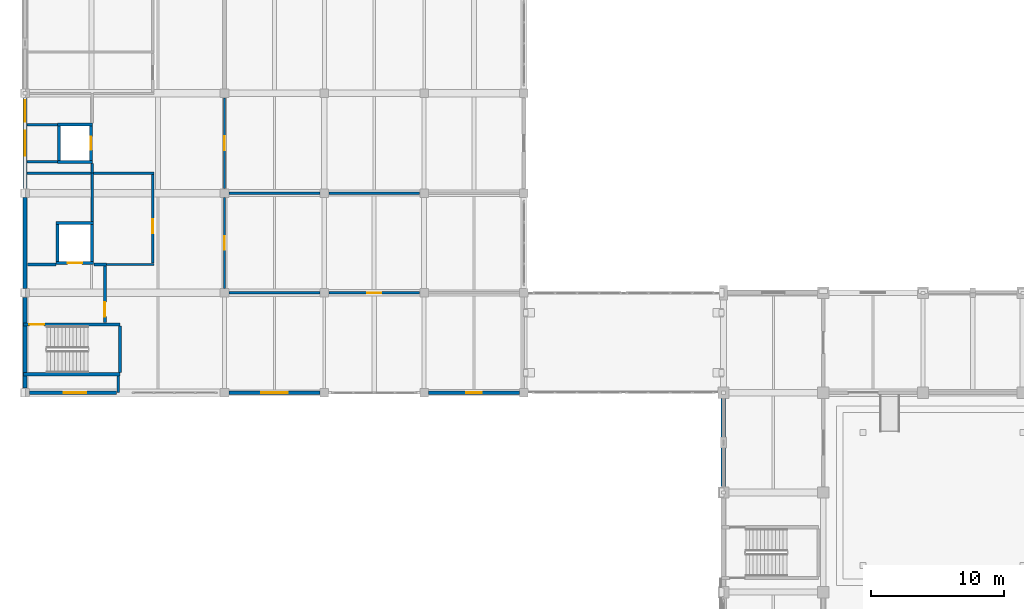
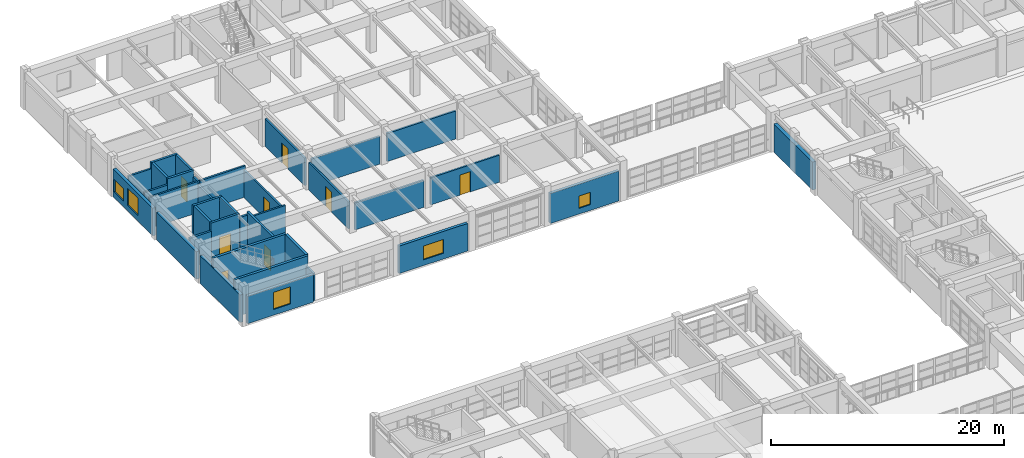
# One storey, part 103 of 132: 36 walls, 8 doors, 5 windows, 13 openings.
"""IFC4 building model written with IfcOpenShell, lengths in metres."""

from ifc_helpers import new_model, si_unit, direction, frame, frame_2d, origin, place, context, subcontext, project, spatial, rectangle, extrude, material, layer, layer_set, type_object, element, fill, save


model = new_model("IFC4")

# Units and contexts
model_context = context("Model", 3, precision=1e-05, world=origin(), true_north=direction((0.0, 1.0)))
body_context = subcontext(model_context, "Body", "Model", "MODEL_VIEW")
ifc_project = project(units=[si_unit("LENGTHUNIT", "METRE"), si_unit("AREAUNIT", "SQUARE_METRE"), si_unit("VOLUMEUNIT", "CUBIC_METRE"), si_unit("PLANEANGLEUNIT", "RADIAN"), si_unit("MASSUNIT", "GRAM", prefix="KILO")], contexts=[model_context])

# Site, building, storey
site_placement = place(None, origin())
site = spatial("IfcSite", under=ifc_project, at=site_placement, CompositionType="ELEMENT")
building_placement = place(site_placement, origin())
building = spatial("IfcBuilding", under=site, at=building_placement, Name="Qasida Concert Hall", CompositionType="ELEMENT")
storey_placement = place(building_placement, frame((0.0, 0.0, 4.800048828125)))
storey = spatial("IfcBuildingStorey", under=building, at=storey_placement, Name="L01", CompositionType="ELEMENT", Elevation=4.800048828125)

# Walls
ifc_material_1 = material(Name="Concrete C40/50", Category="concrete")
ifc_layer_1 = layer(ifc_material_1, 0.219970703125, Name="Concrete C40/50")
ifc_layer_set_1 = layer_set([ifc_layer_1], Name="Concrete C40/50")
wall_type_1 = type_object("IfcWallType", Name="WL-CW-220", PredefinedType="SOLIDWALL", material=ifc_layer_set_1)
for number, where, z_axis, x_axis, name in (
    (1, (2.43994140625, 92.35009765625, 0.0), (0.0, 0.0, 1.0), (1.0, 0.0, 0.0), "L01 LF-07 lift shaft wall S"),
    (2, (2.43994140625, 95.14990234375, 0.0), (0.0, 0.0, 1.0), (1.0, 0.0, 0.0), "L01 LF-07 lift shaft wall N"),
):
    element("IfcWall", number, at=place(storey_placement, frame(where, z_axis=z_axis, x_axis=x_axis)), inside=storey, type_object=wall_type_1, Name=name, PredefinedType="SOLIDWALL", context=body_context, shape_type="SweptSolid", body=[
        extrude(rectangle(XDim=2.6201171875, YDim=0.219970703125, at=frame_2d((1.31005859375, 0.0))), origin(), (0.0, 0.0, 1.0), 3.919921875),
    ])
wall_1_placement = place(storey_placement, frame((2.550048828125, 92.4599609375, 0.0), z_axis=(0.0, 0.0, 1.0), x_axis=(0.0, 1.0, 0.0)))
element("IfcWall", 3, at=wall_1_placement, inside=storey, type_object=wall_type_1, Name="L01 LF-07 lift shaft wall W", PredefinedType="SOLIDWALL", context=body_context, shape_type="SweptSolid", body=[
    extrude(rectangle(XDim=2.580078125, YDim=0.219970703125, at=frame_2d((1.2900390625, 0.0))), origin(), (0.0, 0.0, 1.0), 3.919921875),
])

# Wall, opening, door
wall_2_placement = place(storey_placement, frame((4.949951171875, 92.4599609375, 0.0), z_axis=(0.0, 0.0, 1.0), x_axis=(0.0, 1.0, 0.0)))
wall_2 = element("IfcWall", 4, at=wall_2_placement, inside=storey, type_object=wall_type_1, Name="L01 LF-07 lift shaft wall E", PredefinedType="SOLIDWALL", context=body_context, shape_type="SweptSolid", body=[
    extrude(rectangle(XDim=2.580078125, YDim=0.219970703125, at=frame_2d((1.2900390625, 0.0))), origin(), (0.0, 0.0, 1.0), 3.919921875),
])
opening_1_placement = place(wall_2_placement, frame((0.7900390625, 0.0, 0.0)))
opening_1 = element("IfcOpeningElement", 5, at=opening_1_placement, cuts=wall_2, Name="Opening LD-100", PredefinedType="OPENING", context=body_context, shape_type="SweptSolid", body=[
    extrude(rectangle(XDim=1.0, YDim=2.14990234375, at=frame_2d((0.5, 1.074951171875))), frame((0.0, 0.119873046875, 0.0), z_axis=(0.0, -1.0, 0.0), x_axis=(1.0, 0.0, 0.0)), (0.0, 0.0, 1.0), 0.239990234375),
])
ifc_material_2 = material(Name="Brushed bronze passenger lift landing door", Category="steel")
door_type_1 = type_object("IfcDoorType", Name="LD-100", OperationType="SLIDING_TO_LEFT", PredefinedType="DOOR", material=ifc_material_2)
door_1_placement = place(opening_1_placement, origin())
door_1 = element("IfcDoor", 6, at=door_1_placement, inside=storey, type_object=door_type_1, Name="Lift landing door LF-07 L01", OperationType="SLIDING_TO_LEFT", OverallHeight=2.14990234375, OverallWidth=1.0, PredefinedType="DOOR", context=body_context, shape_type="SweptSolid", body=[
    extrude(rectangle(XDim=1.0, YDim=2.14990234375, at=frame_2d((0.5, 1.074951171875))), frame((0.0, 0.02490234375, 0.0), z_axis=(0.0, -1.0, 0.0), x_axis=(1.0, 0.0, 0.0)), (0.0, 0.0, 1.0), 0.050048828125),
])
fill(opening_1, door_1)

wall_3_placement = place(storey_placement, frame((2.340087890625, 84.75, 0.0), z_axis=(0.0, 0.0, 1.0), x_axis=(1.0, 0.0, 0.0)))
wall_3 = element("IfcWall", 7, at=wall_3_placement, inside=storey, type_object=wall_type_1, Name="L01 LF-08 lift shaft wall S", PredefinedType="SOLIDWALL", context=body_context, shape_type="SweptSolid", body=[
    extrude(rectangle(XDim=2.81982421875, YDim=0.219970703125, at=frame_2d((1.409912109375, 0.0))), origin(), (0.0, 0.0, 1.0), 3.919921875),
])
opening_2_placement = place(wall_3_placement, frame((0.860107421875, 0.0, 0.0)))
opening_2 = element("IfcOpeningElement", 8, at=opening_2_placement, cuts=wall_3, Name="Opening LD-110", PredefinedType="OPENING", context=body_context, shape_type="SweptSolid", body=[
    extrude(rectangle(XDim=1.10009765625, YDim=2.14990234375, at=frame_2d((0.550048828125, 1.074951171875))), frame((0.0, 0.119873046875, 0.0), z_axis=(0.0, -1.0, 0.0), x_axis=(1.0, 0.0, 0.0)), (0.0, 0.0, 1.0), 0.239990234375),
])
ifc_material_3 = material(Name="Firefighting lift sliding landing door", Category="steel")
door_type_2 = type_object("IfcDoorType", Name="LD-110", OperationType="SLIDING_TO_LEFT", PredefinedType="DOOR", material=ifc_material_3)
door_2_placement = place(opening_2_placement, origin())
door_2 = element("IfcDoor", 9, at=door_2_placement, inside=storey, type_object=door_type_2, Name="Lift landing door LF-08 L01", OperationType="SLIDING_TO_LEFT", OverallHeight=2.14990234375, OverallWidth=1.10009765625, PredefinedType="DOOR", context=body_context, shape_type="SweptSolid", body=[
    extrude(rectangle(XDim=1.10009765625, YDim=2.14990234375, at=frame_2d((0.550048828125, 1.074951171875))), frame((0.0, 0.02490234375, 0.0), z_axis=(0.0, -1.0, 0.0), x_axis=(1.0, 0.0, 0.0)), (0.0, 0.0, 1.0), 0.050048828125),
])
fill(opening_2, door_2)

# Walls
wall_4_placement = place(storey_placement, frame((2.340087890625, 87.75, 0.0), z_axis=(0.0, 0.0, 1.0), x_axis=(1.0, 0.0, 0.0)))
element("IfcWall", 10, at=wall_4_placement, inside=storey, type_object=wall_type_1, Name="L01 LF-08 lift shaft wall N", PredefinedType="SOLIDWALL", context=body_context, shape_type="SweptSolid", body=[
    extrude(rectangle(XDim=2.81982421875, YDim=0.219970703125, at=frame_2d((1.409912109375, 0.0))), origin(), (0.0, 0.0, 1.0), 3.919921875),
])
for number, where, z_axis, x_axis, name in (
    (11, (2.449951171875, 84.860107421875, 0.0), (0.0, 0.0, 1.0), (0.0, 1.0, 0.0), "L01 LF-08 lift shaft wall W"),
    (12, (5.050048828125, 84.860107421875, 0.0), (0.0, 0.0, 1.0), (0.0, 1.0, 0.0), "L01 LF-08 lift shaft wall E"),
):
    element("IfcWall", number, at=place(storey_placement, frame(where, z_axis=z_axis, x_axis=x_axis)), inside=storey, type_object=wall_type_1, Name=name, PredefinedType="SOLIDWALL", context=body_context, shape_type="SweptSolid", body=[
        extrude(rectangle(XDim=2.77978515625, YDim=0.219970703125, at=frame_2d((1.389892578125, 0.0))), origin(), (0.0, 0.0, 1.0), 3.919921875),
    ])

# Wall, opening, door
wall_5_placement = place(storey_placement, frame((6.0, 80.260009765625, 0.0), z_axis=(0.0, 0.0, 1.0), x_axis=(0.0, 1.0, 0.0)))
wall_5 = element("IfcWall", 13, at=wall_5_placement, inside=storey, type_object=wall_type_1, Name="L01 LF-08 firefighting lobby wall", PredefinedType="SOLIDWALL", context=body_context, shape_type="SweptSolid", body=[
    extrude(rectangle(XDim=4.369873046875, YDim=0.219970703125, at=frame_2d((2.18505859375, 0.0))), origin(), (0.0, 0.0, 1.0), 3.919921875),
])
opening_3_placement = place(wall_5_placement, frame((0.449951171875, 0.0, 0.0)))
opening_3 = element("IfcOpeningElement", 14, at=opening_3_placement, cuts=wall_5, Name="Opening FD-110", PredefinedType="OPENING", context=body_context, shape_type="SweptSolid", body=[
    extrude(rectangle(XDim=1.10009765625, YDim=2.14990234375, at=frame_2d((0.550048828125, 1.074951171875))), frame((0.0, 0.119873046875, 0.0), z_axis=(0.0, -1.0, 0.0), x_axis=(1.0, 0.0, 0.0)), (0.0, 0.0, 1.0), 0.239990234375),
])
ifc_material_4 = material(Name="Steel fire-rated stair/lobby door set", Category="steel")
door_type_3 = type_object("IfcDoorType", Name="FD-110", OperationType="NOTDEFINED", PredefinedType="DOOR", material=ifc_material_4)
door_3_placement = place(opening_3_placement, origin())
door_3 = element("IfcDoor", 15, at=door_3_placement, inside=storey, type_object=door_type_3, Name="L01 LF-08 firefighting lobby fire door", OperationType="SINGLE_SWING_RIGHT", OverallHeight=2.14990234375, OverallWidth=1.10009765625, PredefinedType="DOOR", context=body_context, shape_type="SweptSolid", body=[
    extrude(rectangle(XDim=1.10009765625, YDim=2.14990234375, at=frame_2d((0.550048828125, 1.074951171875))), frame((0.0, 0.02490234375, 0.0), z_axis=(0.0, -1.0, 0.0), x_axis=(1.0, 0.0, 0.0)), (0.0, 0.0, 1.0), 0.050048828125),
])
fill(opening_3, door_3)

# Wall
ifc_layer_2 = layer(ifc_material_1, 0.25, Name="Concrete C40/50")
ifc_layer_set_2 = layer_set([ifc_layer_2], Name="Concrete C40/50")
wall_type_2 = type_object("IfcWallType", Name="WL-CW-250", PredefinedType="SOLIDWALL", material=ifc_layer_set_2)
wall_6_placement = place(storey_placement, frame((-0.1201171875, 76.375, 0.0), z_axis=(0.0, 0.0, 1.0), x_axis=(1.0, 0.0, 0.0)))
element("IfcWall", 16, at=wall_6_placement, inside=storey, type_object=wall_type_2, Name="L01 ST-05 stairwell wall S", PredefinedType="SOLIDWALL", context=body_context, shape_type="SweptSolid", body=[
    extrude(rectangle(XDim=7.260009765625, YDim=0.25, at=frame_2d((3.6298828125, 0.0))), origin(), (0.0, 0.0, 1.0), 3.919921875),
])

# Wall, opening, door
wall_7_placement = place(storey_placement, frame((-0.1201171875, 80.125, 0.0), z_axis=(0.0, 0.0, 1.0), x_axis=(1.0, 0.0, 0.0)))
wall_7 = element("IfcWall", 17, at=wall_7_placement, inside=storey, type_object=wall_type_2, Name="L01 ST-05 stairwell wall N", PredefinedType="SOLIDWALL", context=body_context, shape_type="SweptSolid", body=[
    extrude(rectangle(XDim=7.260009765625, YDim=0.25, at=frame_2d((3.6298828125, 0.0))), origin(), (0.0, 0.0, 1.0), 3.919921875),
])
opening_4_placement = place(wall_7_placement, frame((0.449951171875, 0.0, 0.0)))
opening_4 = element("IfcOpeningElement", 18, at=opening_4_placement, cuts=wall_7, Name="Opening FD-110", PredefinedType="OPENING", context=body_context, shape_type="SweptSolid", body=[
    extrude(rectangle(XDim=1.10009765625, YDim=2.14990234375, at=frame_2d((0.550048828125, 1.074951171875))), frame((0.0, 0.135009765625, 0.0), z_axis=(0.0, -1.0, 0.0), x_axis=(1.0, 0.0, 0.0)), (0.0, 0.0, 1.0), 0.27001953125),
])
door_4_placement = place(opening_4_placement, origin())
door_4 = element("IfcDoor", 19, at=door_4_placement, inside=storey, type_object=door_type_3, Name="L01 ST-05 rated stair door", OperationType="SINGLE_SWING_LEFT", OverallHeight=2.14990234375, OverallWidth=1.10009765625, PredefinedType="DOOR", context=body_context, shape_type="SweptSolid", body=[
    extrude(rectangle(XDim=1.10009765625, YDim=2.14990234375, at=frame_2d((0.550048828125, 1.074951171875))), frame((0.0, 0.02490234375, 0.0), z_axis=(0.0, -1.0, 0.0), x_axis=(1.0, 0.0, 0.0)), (0.0, 0.0, 1.0), 0.050048828125),
])
fill(opening_4, door_4)

# Wall
wall_8_placement = place(storey_placement, frame((7.14501953125, 76.5, 0.0), z_axis=(0.0, 0.0, 1.0), x_axis=(0.0, 1.0, 0.0)))
element("IfcWall", 20, at=wall_8_placement, inside=storey, type_object=wall_type_2, Name="L01 ST-05 stairwell wall E", PredefinedType="SOLIDWALL", context=body_context, shape_type="SweptSolid", body=[
    extrude(rectangle(XDim=3.5, YDim=0.25, at=frame_2d((1.75, 0.0))), origin(), (0.0, 0.0, 1.0), 3.919921875),
])

# Wall, opening, window
ifc_material_5 = material(Name="Precast concrete C40/50", Category="concrete")
ifc_layer_3 = layer(ifc_material_5, 0.280029296875, Name="Precast concrete C40/50")
ifc_layer_set_3 = layer_set([ifc_layer_3], Name="Precast concrete C40/50")
wall_type_3 = type_object("IfcWallType", Name="WL-EW-280", PredefinedType="SOLIDWALL", material=ifc_layer_set_3)
wall_9_placement = place(storey_placement, frame((0.3349609375, 75.0, 0.0), z_axis=(0.0, 0.0, 1.0), x_axis=(1.0, 0.0, 0.0)))
wall_9 = element("IfcWall", 21, at=wall_9_placement, inside=storey, type_object=wall_type_3, Name="L01 exterior wall EW-280 0245", PredefinedType="SOLIDWALL", context=body_context, shape_type="SweptSolid", body=[
    extrude(rectangle(XDim=6.544921875, YDim=0.280029296875, at=frame_2d((3.2724609375, 0.0))), origin(), (0.0, 0.0, 1.0), 2.889892578125),
])
opening_5_placement = place(wall_9_placement, frame((2.56494140625, 0.0, 0.60009765625)))
opening_5 = element("IfcOpeningElement", 22, at=opening_5_placement, cuts=wall_9, Name="Opening WN-05", PredefinedType="OPENING", context=body_context, shape_type="SweptSolid", body=[
    extrude(rectangle(XDim=1.699951171875, YDim=1.800048828125, at=frame_2d((0.85009765625, 0.89990234375))), frame((0.0, 0.14990234375, 0.0), z_axis=(0.0, -1.0, 0.0), x_axis=(1.0, 0.0, 0.0)), (0.0, 0.0, 1.0), 0.300048828125),
])
ifc_material_6 = material(Name="Bronze-anodized aluminium frame with acoustic low-E glazing", Category="aluminium")
window_type_1 = type_object("IfcWindowType", Name="WN-05", PartitioningType="SINGLE_PANEL", PredefinedType="WINDOW", material=ifc_material_6)
window_1_placement = place(opening_5_placement, origin())
window_1 = element("IfcWindow", 23, at=window_1_placement, inside=storey, type_object=window_type_1, Name="L01 window WN-05 0123", OverallHeight=1.800048828125, OverallWidth=1.699951171875, PartitioningType="SINGLE_PANEL", PredefinedType="WINDOW", context=body_context, shape_type="SweptSolid", body=[
    extrude(rectangle(XDim=1.699951171875, YDim=1.800048828125, at=frame_2d((0.85009765625, 0.89990234375))), frame((0.0, 0.030029296875, 0.0), z_axis=(0.0, -1.0, 0.0), x_axis=(1.0, 0.0, 0.0)), (0.0, 0.0, 1.0), 0.06005859375),
])
fill(opening_5, window_1)

wall_10_placement = place(storey_placement, frame((15.3349609375, 75.0, 0.0), z_axis=(0.0, 0.0, 1.0), x_axis=(1.0, 0.0, 0.0)))
wall_10 = element("IfcWall", 24, at=wall_10_placement, inside=storey, type_object=wall_type_3, Name="L01 exterior wall EW-280 0248", PredefinedType="SOLIDWALL", context=body_context, shape_type="SweptSolid", body=[
    extrude(rectangle(XDim=6.830078125, YDim=0.280029296875, at=frame_2d((3.4150390625, 0.0))), origin(), (0.0, 0.0, 1.0), 2.889892578125),
])
opening_6_placement = place(wall_10_placement, frame((2.4150390625, 0.0, 0.60009765625)))
opening_6 = element("IfcOpeningElement", 25, at=opening_6_placement, cuts=wall_10, Name="Opening WN-07", PredefinedType="OPENING", context=body_context, shape_type="SweptSolid", body=[
    extrude(rectangle(XDim=2.0, YDim=1.449951171875, at=frame_2d((1.0, 0.72509765625))), frame((0.0, 0.14990234375, 0.0), z_axis=(0.0, -1.0, 0.0), x_axis=(1.0, 0.0, 0.0)), (0.0, 0.0, 1.0), 0.300048828125),
])
window_type_2 = type_object("IfcWindowType", Name="WN-07", PartitioningType="SINGLE_PANEL", PredefinedType="WINDOW", material=ifc_material_6)
window_2_placement = place(opening_6_placement, origin())
window_2 = element("IfcWindow", 26, at=window_2_placement, inside=storey, type_object=window_type_2, Name="L01 window WN-07 0125", OverallHeight=1.449951171875, OverallWidth=2.0, PartitioningType="SINGLE_PANEL", PredefinedType="WINDOW", context=body_context, shape_type="SweptSolid", body=[
    extrude(rectangle(XDim=2.0, YDim=1.449951171875, at=frame_2d((1.0, 0.72509765625))), frame((0.0, 0.030029296875, 0.0), z_axis=(0.0, -1.0, 0.0), x_axis=(1.0, 0.0, 0.0)), (0.0, 0.0, 1.0), 0.06005859375),
])
fill(opening_6, window_2)

wall_11_placement = place(storey_placement, frame((30.3349609375, 75.0, 0.0), z_axis=(0.0, 0.0, 1.0), x_axis=(1.0, 0.0, 0.0)))
wall_11 = element("IfcWall", 27, at=wall_11_placement, inside=storey, type_object=wall_type_3, Name="L01 exterior wall EW-280 0251", PredefinedType="SOLIDWALL", context=body_context, shape_type="SweptSolid", body=[
    extrude(rectangle(XDim=6.830078125, YDim=0.280029296875, at=frame_2d((3.4150390625, 0.0))), origin(), (0.0, 0.0, 1.0), 3.139892578125),
])
opening_7_placement = place(wall_11_placement, frame((2.840087890625, 0.0, 0.60009765625)))
opening_7 = element("IfcOpeningElement", 28, at=opening_7_placement, cuts=wall_11, Name="Opening WN-09", PredefinedType="OPENING", context=body_context, shape_type="SweptSolid", body=[
    extrude(rectangle(XDim=1.14990234375, YDim=1.300048828125, at=frame_2d((0.574951171875, 0.64990234375))), frame((0.0, 0.14990234375, 0.0), z_axis=(0.0, -1.0, 0.0), x_axis=(1.0, 0.0, 0.0)), (0.0, 0.0, 1.0), 0.300048828125),
])
window_type_3 = type_object("IfcWindowType", Name="WN-09", PartitioningType="SINGLE_PANEL", PredefinedType="WINDOW", material=ifc_material_6)
window_3_placement = place(opening_7_placement, origin())
window_3 = element("IfcWindow", 29, at=window_3_placement, inside=storey, type_object=window_type_3, Name="L01 window WN-09 0128", OverallHeight=1.300048828125, OverallWidth=1.14990234375, PartitioningType="SINGLE_PANEL", PredefinedType="WINDOW", context=body_context, shape_type="SweptSolid", body=[
    extrude(rectangle(XDim=1.14990234375, YDim=1.300048828125, at=frame_2d((0.574951171875, 0.64990234375))), frame((0.0, 0.030029296875, 0.0), z_axis=(0.0, -1.0, 0.0), x_axis=(1.0, 0.0, 0.0)), (0.0, 0.0, 1.0), 0.06005859375),
])
fill(opening_7, window_3)

# Wall, openings, windows
ifc_layer_4 = layer(ifc_material_5, 0.300048828125, Name="Precast concrete C40/50")
ifc_layer_set_4 = layer_set([ifc_layer_4], Name="Precast concrete C40/50")
wall_type_4 = type_object("IfcWallType", Name="WL-EW-300", PredefinedType="SOLIDWALL", material=ifc_layer_set_4)
wall_12_placement = place(storey_placement, frame((0.0, 90.3349609375, 0.0), z_axis=(0.0, 0.0, 1.0), x_axis=(0.0, 1.0, 0.0)))
wall_12 = element("IfcWall", 30, at=wall_12_placement, inside=storey, type_object=wall_type_4, Name="L01 exterior wall EW-300 0254", PredefinedType="SOLIDWALL", context=body_context, shape_type="SweptSolid", body=[
    extrude(rectangle(XDim=6.830078125, YDim=0.300048828125, at=frame_2d((3.4150390625, 0.0))), origin(), (0.0, 0.0, 1.0), 2.889892578125),
])
opening_8_placement = place(wall_12_placement, frame((2.489990234375, 0.0, 0.60009765625)))
opening_8 = element("IfcOpeningElement", 31, at=opening_8_placement, cuts=wall_12, Name="Opening WN-06", PredefinedType="OPENING", context=body_context, shape_type="SweptSolid", body=[
    extrude(rectangle(XDim=1.85009765625, YDim=1.800048828125, at=frame_2d((0.925048828125, 0.89990234375))), frame((0.0, 0.159912109375, 0.0), z_axis=(0.0, -1.0, 0.0), x_axis=(1.0, 0.0, 0.0)), (0.0, 0.0, 1.0), 0.320068359375),
])
opening_9_placement = place(wall_12_placement, frame((5.03759765625, 0.0, 0.60009765625)))
opening_9 = element("IfcOpeningElement", 32, at=opening_9_placement, cuts=wall_12, Name="Opening WN-12", PredefinedType="OPENING", context=body_context, shape_type="SweptSolid", body=[
    extrude(rectangle(XDim=1.60009765625, YDim=1.300048828125, at=frame_2d((0.800048828125, 0.64990234375))), frame((0.0, 0.159912109375, 0.0), z_axis=(0.0, -1.0, 0.0), x_axis=(1.0, 0.0, 0.0)), (0.0, 0.0, 1.0), 0.320068359375),
])
window_type_4 = type_object("IfcWindowType", Name="WN-06", PartitioningType="SINGLE_PANEL", PredefinedType="WINDOW", material=ifc_material_6)
window_4_placement = place(opening_8_placement, origin())
window_4 = element("IfcWindow", 33, at=window_4_placement, inside=storey, type_object=window_type_4, Name="L01 window WN-06 0129", OverallHeight=1.800048828125, OverallWidth=1.85009765625, PartitioningType="SINGLE_PANEL", PredefinedType="WINDOW", context=body_context, shape_type="SweptSolid", body=[
    extrude(rectangle(XDim=1.85009765625, YDim=1.800048828125, at=frame_2d((0.925048828125, 0.89990234375))), frame((0.0, 0.030029296875, 0.0), z_axis=(0.0, -1.0, 0.0), x_axis=(1.0, 0.0, 0.0)), (0.0, 0.0, 1.0), 0.06005859375),
])
fill(opening_8, window_4)
window_type_5 = type_object("IfcWindowType", Name="WN-12", PartitioningType="SINGLE_PANEL", PredefinedType="WINDOW", material=ifc_material_6)
window_5_placement = place(opening_9_placement, origin())
window_5 = element("IfcWindow", 34, at=window_5_placement, inside=storey, type_object=window_type_5, Name="L01 window WN-12 0130", OverallHeight=1.300048828125, OverallWidth=1.60009765625, PartitioningType="SINGLE_PANEL", PredefinedType="WINDOW", context=body_context, shape_type="SweptSolid", body=[
    extrude(rectangle(XDim=1.60009765625, YDim=1.300048828125, at=frame_2d((0.800048828125, 0.64990234375))), frame((0.0, 0.030029296875, 0.0), z_axis=(0.0, -1.0, 0.0), x_axis=(1.0, 0.0, 0.0)), (0.0, 0.0, 1.0), 0.06005859375),
])
fill(opening_9, window_5)

# Walls
ifc_layer_5 = layer(ifc_material_5, 0.320068359375, Name="Precast concrete C40/50")
ifc_layer_set_5 = layer_set([ifc_layer_5], Name="Precast concrete C40/50")
wall_type_5 = type_object("IfcWallType", Name="WL-EW-320", PredefinedType="SOLIDWALL", material=ifc_layer_set_5)
for number, where, z_axis, x_axis, name in (
    (35, (0.0, 75.3349609375, 0.0), (0.0, 0.0, 1.0), (0.0, 1.0, 0.0), "L01 exterior wall EW-320 0252"),
    (36, (0.0, 82.8349609375, 0.0), (0.0, 0.0, 1.0), (0.0, 1.0, 0.0), "L01 exterior wall EW-320 0253"),
):
    element("IfcWall", number, at=place(storey_placement, frame(where, z_axis=z_axis, x_axis=x_axis)), inside=storey, type_object=wall_type_5, Name=name, PredefinedType="SOLIDWALL", context=body_context, shape_type="SweptSolid", body=[
        extrude(rectangle(XDim=6.830078125, YDim=0.320068359375, at=frame_2d((3.4150390625, 0.0))), origin(), (0.0, 0.0, 1.0), 2.889892578125),
    ])
ifc_layer_6 = layer(ifc_material_5, 0.340087890625, Name="Precast concrete C40/50")
ifc_layer_set_6 = layer_set([ifc_layer_6], Name="Precast concrete C40/50")
wall_type_6 = type_object("IfcWallType", Name="WL-EW-340", PredefinedType="SOLIDWALL", material=ifc_layer_set_6)
wall_13_placement = place(storey_placement, frame((52.5, 67.93505859375, 0.0), z_axis=(0.0, 0.0, 1.0), x_axis=(0.0, 1.0, 0.0)))
element("IfcWall", 37, at=wall_13_placement, inside=storey, type_object=wall_type_6, Name="L01 exterior wall EW-340 0037", PredefinedType="SOLIDWALL", context=body_context, shape_type="SweptSolid", body=[
    extrude(rectangle(XDim=6.6298828125, YDim=0.340087890625, at=frame_2d((3.31494140625, 0.0))), origin(), (0.0, 0.0, 1.0), 2.93994140625),
])
ifc_material_7 = material(Name="Acoustic metal-stud gypsum partition", Category="gypsum")
ifc_layer_7 = layer(ifc_material_7, 0.179931640625, Name="Acoustic metal-stud gypsum partition")
ifc_layer_set_7 = layer_set([ifc_layer_7], Name="Acoustic metal-stud gypsum partition")
wall_type_7 = type_object("IfcWallType", Name="WL-PW-180", PredefinedType="PARTITIONING", material=ifc_layer_set_7)
wall_14_placement = place(storey_placement, frame((7.02001953125, 75.0, 0.0), z_axis=(0.0, 0.0, 1.0), x_axis=(0.0, 1.0, 0.0)))
element("IfcWall", 38, at=wall_14_placement, inside=storey, type_object=wall_type_7, Name="L01 partition PW-180 0278", PredefinedType="PARTITIONING", context=body_context, shape_type="SweptSolid", body=[
    extrude(rectangle(XDim=1.236083984375, YDim=0.179931640625, at=frame_2d((0.6181640625, 0.0))), origin(), (0.0, 0.0, 1.0), 2.889892578125),
])
wall_15_placement = place(storey_placement, frame((5.050048828125, 87.8740234375, 0.0), z_axis=(0.0, 0.0, 1.0), x_axis=(0.0, 1.0, 0.0)))
element("IfcWall", 39, at=wall_15_placement, inside=storey, type_object=wall_type_7, Name="L01 partition PW-180 0279", PredefinedType="PARTITIONING", context=body_context, shape_type="SweptSolid", body=[
    extrude(rectangle(XDim=3.6259765625, YDim=0.179931640625, at=frame_2d((1.81298828125, 0.0))), origin(), (0.0, 0.0, 1.0), 2.889892578125),
])
wall_16_placement = place(storey_placement, frame((6.1240234375, 84.6298828125, 0.0), z_axis=(0.0, 0.0, 1.0), x_axis=(1.0, 0.0, 0.0)))
element("IfcWall", 40, at=wall_16_placement, inside=storey, type_object=wall_type_7, Name="L01 partition PW-180 0280", PredefinedType="PARTITIONING", context=body_context, shape_type="SweptSolid", body=[
    extrude(rectangle(XDim=3.555908203125, YDim=0.179931640625, at=frame_2d((1.77783203125, 0.0))), origin(), (0.0, 0.0, 1.0), 3.27001953125),
])
wall_17_placement = place(storey_placement, frame((0.1640625, 91.5, 0.0), z_axis=(0.0, 0.0, 1.0), x_axis=(1.0, 0.0, 0.0)))
element("IfcWall", 41, at=wall_17_placement, inside=storey, type_object=wall_type_7, Name="L01 partition PW-180 0281", PredefinedType="PARTITIONING", context=body_context, shape_type="SweptSolid", body=[
    extrude(rectangle(XDim=4.781982421875, YDim=0.179931640625, at=frame_2d((2.39111328125, 0.0))), origin(), (0.0, 0.0, 1.0), 3.27001953125),
])
wall_18_placement = place(storey_placement, frame((5.154052734375, 91.5, 0.0), z_axis=(0.0, 0.0, 1.0), x_axis=(1.0, 0.0, 0.0)))
element("IfcWall", 42, at=wall_18_placement, inside=storey, type_object=wall_type_7, Name="L01 partition PW-180 0282", PredefinedType="PARTITIONING", context=body_context, shape_type="SweptSolid", body=[
    extrude(rectangle(XDim=4.52587890625, YDim=0.179931640625, at=frame_2d((2.262939453125, 0.0))), origin(), (0.0, 0.0, 1.0), 3.27001953125),
])

# Wall, opening, door
wall_19_placement = place(storey_placement, frame((9.60009765625, 84.73388671875, 0.0), z_axis=(0.0, 0.0, 1.0), x_axis=(0.0, 1.0, 0.0)))
wall_19 = element("IfcWall", 43, at=wall_19_placement, inside=storey, type_object=wall_type_7, Name="L01 partition PW-180 0283", PredefinedType="PARTITIONING", context=body_context, shape_type="SweptSolid", body=[
    extrude(rectangle(XDim=6.662109375, YDim=0.179931640625, at=frame_2d((3.3310546875, 0.0))), origin(), (0.0, 0.0, 1.0), 2.889892578125),
])
opening_10_placement = place(wall_19_placement, frame((2.240966796875, 0.0, 0.0)))
opening_10 = element("IfcOpeningElement", 44, at=opening_10_placement, cuts=wall_19, Name="Opening ID-105", PredefinedType="OPENING", context=body_context, shape_type="SweptSolid", body=[
    extrude(rectangle(XDim=1.050048828125, YDim=2.1201171875, at=frame_2d((0.52490234375, 1.06005859375))), frame((0.0, 0.099853515625, 0.0), z_axis=(0.0, -1.0, 0.0), x_axis=(1.0, 0.0, 0.0)), (0.0, 0.0, 1.0), 0.199951171875),
])
ifc_material_8 = material(Name="Quarter-sawn oak practice studio door", Category="wood")
door_type_4 = type_object("IfcDoorType", Name="ID-105", OperationType="NOTDEFINED", PredefinedType="DOOR", material=ifc_material_8)
door_5_placement = place(opening_10_placement, origin())
door_5 = element("IfcDoor", 45, at=door_5_placement, inside=storey, type_object=door_type_4, Name="L01 Soloist practice booth door", OperationType="SINGLE_SWING_LEFT", OverallHeight=2.1201171875, OverallWidth=1.050048828125, PredefinedType="DOOR", context=body_context, shape_type="SweptSolid", body=[
    extrude(rectangle(XDim=1.050048828125, YDim=2.1201171875, at=frame_2d((0.52490234375, 1.06005859375))), frame((0.0, 0.02490234375, 0.0), z_axis=(0.0, -1.0, 0.0), x_axis=(1.0, 0.0, 0.0)), (0.0, 0.0, 1.0), 0.050048828125),
])
fill(opening_10, door_5)

# Walls
for number, where, z_axis, x_axis, name in (
    (46, (0.1640625, 92.35009765625, 0.0), (0.0, 0.0, 1.0), (1.0, 0.0, 0.0), "L01 partition PW-180 0284"),
    (47, (0.1640625, 95.14990234375, 0.0), (0.0, 0.0, 1.0), (1.0, 0.0, 0.0), "L01 partition PW-180 0285"),
):
    element("IfcWall", number, at=place(storey_placement, frame(where, z_axis=z_axis, x_axis=x_axis)), inside=storey, type_object=wall_type_7, Name=name, PredefinedType="PARTITIONING", context=body_context, shape_type="SweptSolid", body=[
        extrude(rectangle(XDim=2.27587890625, YDim=0.179931640625, at=frame_2d((1.137939453125, 0.0))), origin(), (0.0, 0.0, 1.0), 3.27001953125),
    ])
wall_20_placement = place(storey_placement, frame((5.050048828125, 91.5, 0.0), z_axis=(0.0, 0.0, 1.0), x_axis=(0.0, 1.0, 0.0)))
element("IfcWall", 48, at=wall_20_placement, inside=storey, type_object=wall_type_7, Name="L01 partition PW-180 0286", PredefinedType="PARTITIONING", context=body_context, shape_type="SweptSolid", body=[
    extrude(rectangle(XDim=0.72607421875, YDim=0.179931640625, at=frame_2d((0.363037109375, 0.0))), origin(), (0.0, 0.0, 1.0), 3.27001953125),
])
wall_21_placement = place(storey_placement, frame((15.339111328125, 82.5, 0.0), z_axis=(0.0, 0.0, 1.0), x_axis=(1.0, 0.0, 0.0)))
element("IfcWall", 49, at=wall_21_placement, inside=storey, type_object=wall_type_7, Name="L01 partition PW-180 0294", PredefinedType="PARTITIONING", context=body_context, shape_type="SweptSolid", body=[
    extrude(rectangle(XDim=6.82177734375, YDim=0.179931640625, at=frame_2d((3.410888671875, 0.0))), origin(), (0.0, 0.0, 1.0), 2.83984375),
])

# Wall, opening, door
wall_22_placement = place(storey_placement, frame((22.839111328125, 82.5, 0.0), z_axis=(0.0, 0.0, 1.0), x_axis=(1.0, 0.0, 0.0)))
wall_22 = element("IfcWall", 50, at=wall_22_placement, inside=storey, type_object=wall_type_7, Name="L01 partition PW-180 0295", PredefinedType="PARTITIONING", context=body_context, shape_type="SweptSolid", body=[
    extrude(rectangle(XDim=6.82177734375, YDim=0.179931640625, at=frame_2d((3.410888671875, 0.0))), origin(), (0.0, 0.0, 1.0), 2.83984375),
])
opening_11_placement = place(wall_22_placement, frame((2.885986328125, 0.0, 0.0)))
opening_11 = element("IfcOpeningElement", 51, at=opening_11_placement, cuts=wall_22, Name="Opening ID-105", PredefinedType="OPENING", context=body_context, shape_type="SweptSolid", body=[
    extrude(rectangle(XDim=1.050048828125, YDim=2.1201171875, at=frame_2d((0.52490234375, 1.06005859375))), frame((0.0, 0.099853515625, 0.0), z_axis=(0.0, -1.0, 0.0), x_axis=(1.0, 0.0, 0.0)), (0.0, 0.0, 1.0), 0.199951171875),
])
door_6_placement = place(opening_11_placement, origin())
door_6 = element("IfcDoor", 52, at=door_6_placement, inside=storey, type_object=door_type_4, Name="L01 L01 south suite bridge door", OperationType="SINGLE_SWING_RIGHT", OverallHeight=2.1201171875, OverallWidth=1.050048828125, PredefinedType="DOOR", context=body_context, shape_type="SweptSolid", body=[
    extrude(rectangle(XDim=1.050048828125, YDim=2.1201171875, at=frame_2d((0.52490234375, 1.06005859375))), frame((0.0, 0.02490234375, 0.0), z_axis=(0.0, -1.0, 0.0), x_axis=(1.0, 0.0, 0.0)), (0.0, 0.0, 1.0), 0.050048828125),
])
fill(opening_11, door_6)

wall_23_placement = place(storey_placement, frame((15.0, 82.839111328125, 0.0), z_axis=(0.0, 0.0, 1.0), x_axis=(0.0, 1.0, 0.0)))
wall_23 = element("IfcWall", 53, at=wall_23_placement, inside=storey, type_object=wall_type_7, Name="L01 partition PW-180 0300", PredefinedType="PARTITIONING", context=body_context, shape_type="SweptSolid", body=[
    extrude(rectangle(XDim=6.82177734375, YDim=0.179931640625, at=frame_2d((3.410888671875, 0.0))), origin(), (0.0, 0.0, 1.0), 2.83984375),
])
opening_12_placement = place(wall_23_placement, frame((2.885986328125, 0.0, 0.0)))
opening_12 = element("IfcOpeningElement", 54, at=opening_12_placement, cuts=wall_23, Name="Opening ID-105", PredefinedType="OPENING", context=body_context, shape_type="SweptSolid", body=[
    extrude(rectangle(XDim=1.050048828125, YDim=2.1201171875, at=frame_2d((0.52490234375, 1.06005859375))), frame((0.0, 0.099853515625, 0.0), z_axis=(0.0, -1.0, 0.0), x_axis=(1.0, 0.0, 0.0)), (0.0, 0.0, 1.0), 0.199951171875),
])
door_7_placement = place(opening_12_placement, origin())
door_7 = element("IfcDoor", 55, at=door_7_placement, inside=storey, type_object=door_type_4, Name="L01 L01 south suite door", OperationType="SINGLE_SWING_LEFT", OverallHeight=2.1201171875, OverallWidth=1.050048828125, PredefinedType="DOOR", context=body_context, shape_type="SweptSolid", body=[
    extrude(rectangle(XDim=1.050048828125, YDim=2.1201171875, at=frame_2d((0.52490234375, 1.06005859375))), frame((0.0, 0.02490234375, 0.0), z_axis=(0.0, -1.0, 0.0), x_axis=(1.0, 0.0, 0.0)), (0.0, 0.0, 1.0), 0.050048828125),
])
fill(opening_12, door_7)

wall_24_placement = place(storey_placement, frame((15.0, 90.339111328125, 0.0), z_axis=(0.0, 0.0, 1.0), x_axis=(0.0, 1.0, 0.0)))
wall_24 = element("IfcWall", 56, at=wall_24_placement, inside=storey, type_object=wall_type_7, Name="L01 partition PW-180 0301", PredefinedType="PARTITIONING", context=body_context, shape_type="SweptSolid", body=[
    extrude(rectangle(XDim=6.82177734375, YDim=0.179931640625, at=frame_2d((3.410888671875, 0.0))), origin(), (0.0, 0.0, 1.0), 2.889892578125),
])
opening_13_placement = place(wall_24_placement, frame((2.885986328125, 0.0, 0.0)))
opening_13 = element("IfcOpeningElement", 57, at=opening_13_placement, cuts=wall_24, Name="Opening ID-105", PredefinedType="OPENING", context=body_context, shape_type="SweptSolid", body=[
    extrude(rectangle(XDim=1.050048828125, YDim=2.1201171875, at=frame_2d((0.52490234375, 1.06005859375))), frame((0.0, 0.099853515625, 0.0), z_axis=(0.0, -1.0, 0.0), x_axis=(1.0, 0.0, 0.0)), (0.0, 0.0, 1.0), 0.199951171875),
])
door_8_placement = place(opening_13_placement, origin())
door_8 = element("IfcDoor", 58, at=door_8_placement, inside=storey, type_object=door_type_4, Name="L01 L01 north suite door", OperationType="SINGLE_SWING_RIGHT", OverallHeight=2.1201171875, OverallWidth=1.050048828125, PredefinedType="DOOR", context=body_context, shape_type="SweptSolid", body=[
    extrude(rectangle(XDim=1.050048828125, YDim=2.1201171875, at=frame_2d((0.52490234375, 1.06005859375))), frame((0.0, 0.02490234375, 0.0), z_axis=(0.0, -1.0, 0.0), x_axis=(1.0, 0.0, 0.0)), (0.0, 0.0, 1.0), 0.050048828125),
])
fill(opening_13, door_8)

# Walls
ifc_material_9 = material(Name="Acoustic gypsum block and mineral wool", Category="gypsum")
ifc_layer_8 = layer(ifc_material_9, 0.199951171875, Name="Acoustic gypsum block and mineral wool")
ifc_layer_set_8 = layer_set([ifc_layer_8], Name="Acoustic gypsum block and mineral wool")
wall_type_8 = type_object("IfcWallType", Name="WL-PW-200", PredefinedType="PARTITIONING", material=ifc_layer_set_8)
wall_25_placement = place(storey_placement, frame((0.179931640625, 84.6298828125, 0.0), z_axis=(0.0, 0.0, 1.0), x_axis=(1.0, 0.0, 0.0)))
element("IfcWall", 59, at=wall_25_placement, inside=storey, type_object=wall_type_8, Name="L01 LF-08 firefighting lobby return wall", PredefinedType="PARTITIONING", context=body_context, shape_type="SweptSolid", body=[
    extrude(rectangle(XDim=2.14501953125, YDim=0.199951171875, at=frame_2d((1.072509765625, 0.0))), origin(), (0.0, 0.0, 1.0), 3.14990234375),
])
wall_26_placement = place(storey_placement, frame((5.175048828125, 84.6298828125, 0.0), z_axis=(0.0, 0.0, 1.0), x_axis=(1.0, 0.0, 0.0)))
element("IfcWall", 60, at=wall_26_placement, inside=storey, type_object=wall_type_8, Name="L01 LF-08 firefighting lobby return wall", PredefinedType="PARTITIONING", context=body_context, shape_type="SweptSolid", body=[
    extrude(rectangle(XDim=0.93505859375, YDim=0.199951171875, at=frame_2d((0.467529296875, 0.0))), origin(), (0.0, 0.0, 1.0), 3.599853515625),
])
wall_27_placement = place(storey_placement, frame((15.339111328125, 90.0, 0.0), z_axis=(0.0, 0.0, 1.0), x_axis=(1.0, 0.0, 0.0)))
element("IfcWall", 61, at=wall_27_placement, inside=storey, type_object=wall_type_8, Name="L01 partition PW-200 0297", PredefinedType="PARTITIONING", context=body_context, shape_type="SweptSolid", body=[
    extrude(rectangle(XDim=6.82177734375, YDim=0.199951171875, at=frame_2d((3.410888671875, 0.0))), origin(), (0.0, 0.0, 1.0), 2.889892578125),
])
wall_28_placement = place(storey_placement, frame((22.839111328125, 90.0, 0.0), z_axis=(0.0, 0.0, 1.0), x_axis=(1.0, 0.0, 0.0)))
element("IfcWall", 62, at=wall_28_placement, inside=storey, type_object=wall_type_8, Name="L01 partition PW-200 0298", PredefinedType="PARTITIONING", context=body_context, shape_type="SweptSolid", body=[
    extrude(rectangle(XDim=6.82177734375, YDim=0.199951171875, at=frame_2d((3.410888671875, 0.0))), origin(), (0.0, 0.0, 1.0), 2.93994140625),
])

save(model, "model.ifc")
